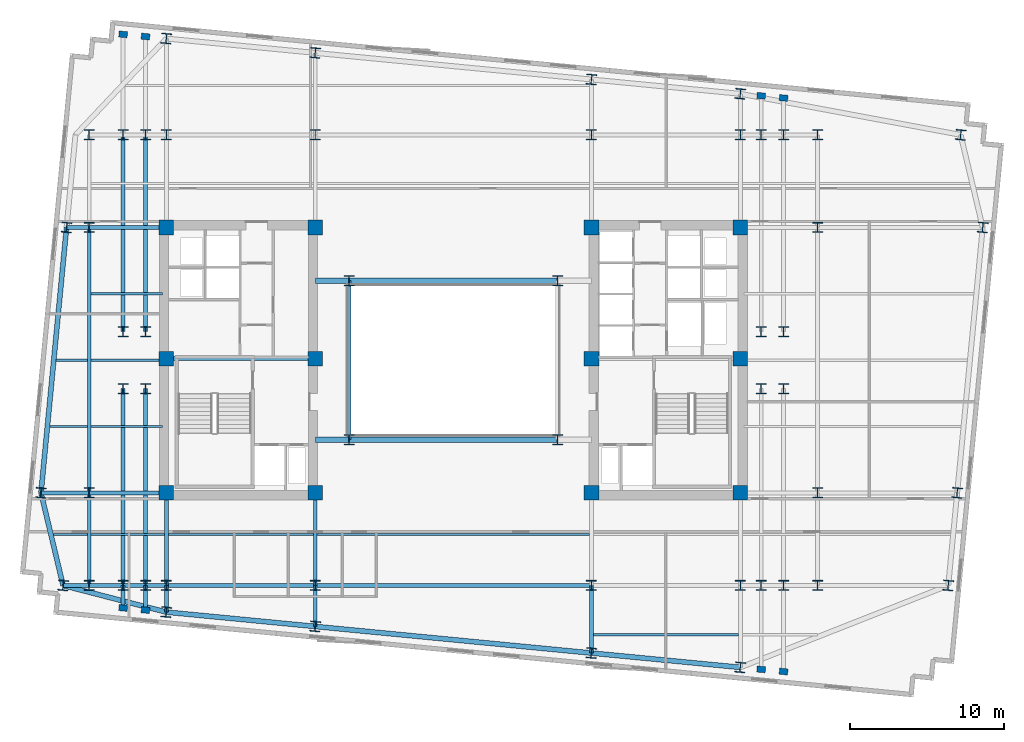
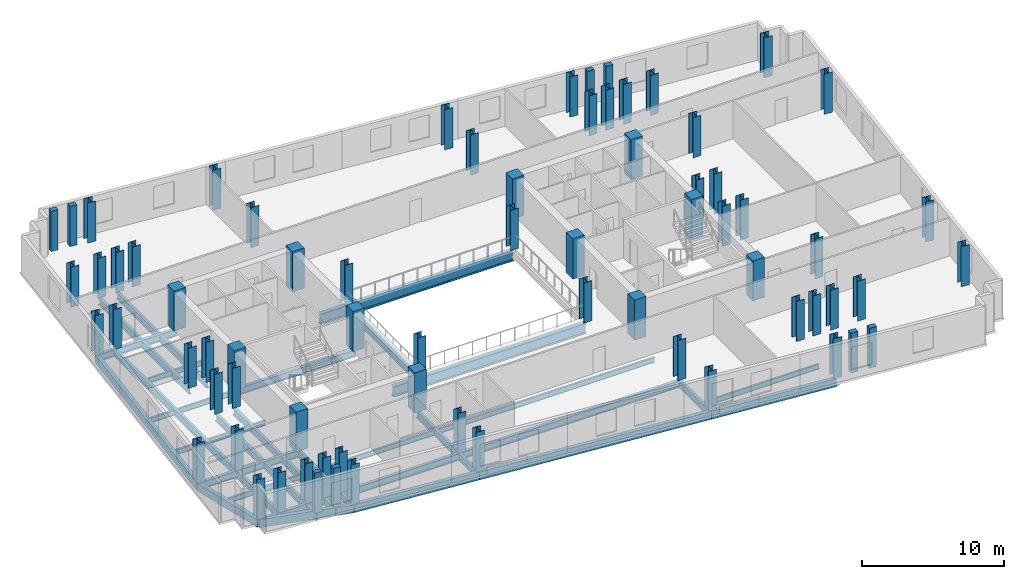
# One storey, part 1 of 9: 71 columns, 43 beams.
"""IFC4 building model written with IfcOpenShell, lengths in metres."""

from ifc_helpers import new_model, si_unit, direction, frame, origin, origin_2d, place, context, subcontext, project, spatial, rectangle, i_section, extrude, material, material_profile, profile_set, type_object, element, save


model = new_model("IFC4")

# Units and contexts
model_context = context("Model", 3, precision=1e-05, world=origin(), true_north=direction((0.0, 1.0)))
body_context = subcontext(model_context, "Body", "Model", "MODEL_VIEW")
ifc_project = project(units=[si_unit("LENGTHUNIT", "METRE"), si_unit("AREAUNIT", "SQUARE_METRE"), si_unit("VOLUMEUNIT", "CUBIC_METRE"), si_unit("PLANEANGLEUNIT", "RADIAN"), si_unit("MASSUNIT", "GRAM", prefix="KILO")], contexts=[model_context])

# Site, building, storey
site_placement = place(None, origin())
site = spatial("IfcSite", under=ifc_project, at=site_placement, CompositionType="ELEMENT")
building_placement = place(site_placement, origin())
building = spatial("IfcBuilding", under=site, at=building_placement, Name="Velakula Bourse", CompositionType="ELEMENT")
storey_placement = place(building_placement, frame((0.0, 0.0, 167.300048828125)))
storey = spatial("IfcBuildingStorey", under=building, at=storey_placement, Name="L45", CompositionType="ELEMENT", Elevation=167.300048828125)

# Columns
ifc_material_1 = material(Name="Concrete M70 (fck 70 MPa)", Category="concrete")
ifc_material_profile_1 = material_profile(ifc_material_1, rectangle(XDim=0.949951171875, YDim=0.949951171875, at=origin_2d()), Name="Concrete M70 (fck 70 MPa)")
ifc_profile_set_1 = profile_set([ifc_material_profile_1], Name="Concrete M70 (fck 70 MPa)")
column_type_1 = type_object("IfcColumnType", Name="COL-RC-950", PredefinedType="COLUMN", material=ifc_profile_set_1)
for number, where, z_axis, x_axis, name in (
    (1, (-8.949951171875, -8.60009765625, 0.0), (0.0, 0.0, 1.0), (1.0, 0.0, 0.0), "L45 Core Boundary Column 01"),
    (2, (-8.949951171875, 0.10009765625, 0.0), (0.0, 0.0, 1.0), (1.0, 0.0, 0.0), "L45 Core Boundary Column 02"),
    (3, (-8.949951171875, 8.60009765625, 0.0), (0.0, 0.0, 1.0), (1.0, 0.0, 0.0), "L45 Core Boundary Column 03"),
    (4, (-18.60009765625, -8.60009765625, 0.0), (0.0, 0.0, 1.0), (1.0, 0.0, 0.0), "L45 Core Boundary Column 04"),
    (5, (-18.60009765625, 0.10009765625, 0.0), (0.0, 0.0, 1.0), (1.0, 0.0, 0.0), "L45 Core Boundary Column 05"),
    (6, (-18.60009765625, 8.60009765625, 0.0), (0.0, 0.0, 1.0), (1.0, 0.0, 0.0), "L45 Core Boundary Column 06"),
    (7, (8.949951171875, -8.60009765625, 0.0), (0.0, 0.0, 1.0), (1.0, 0.0, 0.0), "L45 Core Boundary Column 07"),
    (8, (8.949951171875, 0.10009765625, 0.0), (0.0, 0.0, 1.0), (1.0, 0.0, 0.0), "L45 Core Boundary Column 08"),
    (9, (8.949951171875, 8.60009765625, 0.0), (0.0, 0.0, 1.0), (1.0, 0.0, 0.0), "L45 Core Boundary Column 09"),
    (10, (18.60009765625, -8.60009765625, 0.0), (0.0, 0.0, 1.0), (1.0, 0.0, 0.0), "L45 Core Boundary Column 10"),
    (11, (18.60009765625, 0.10009765625, 0.0), (0.0, 0.0, 1.0), (1.0, 0.0, 0.0), "L45 Core Boundary Column 11"),
    (12, (18.60009765625, 8.60009765625, 0.0), (0.0, 0.0, 1.0), (1.0, 0.0, 0.0), "L45 Core Boundary Column 12"),
):
    element("IfcColumn", number, at=place(storey_placement, frame(where, z_axis=z_axis, x_axis=x_axis)), inside=storey, type_object=column_type_1, Name=name, PredefinedType="COLUMN", context=body_context, shape_type="SweptSolid", body=[
        extrude(rectangle(XDim=0.949951171875, YDim=0.949951171875, at=origin_2d()), origin(), (0.0, 0.0, 1.0), 3.449951171875),
    ])
ifc_material_2 = material(Name="Steel IS 2062 Grade 350 (E350)", Category="steel")
ifc_material_profile_2 = material_profile(ifc_material_2, i_section(OverallWidth=0.64990234375, OverallDepth=0.64990234375, WebThickness=0.028076171875, FlangeThickness=0.0400390625, at=origin_2d()), Name="Steel IS 2062 Grade 350 (E350)")
ifc_profile_set_2 = profile_set([ifc_material_profile_2], Name="Steel IS 2062 Grade 350 (E350)")
column_type_2 = type_object("IfcColumnType", Name="COL-STL-650", PredefinedType="COLUMN", material=ifc_profile_set_2)
for number, where, z_axis, x_axis, name in (
    (13, (-6.75, -5.14990234375, 0.0), (0.0, 0.0, 1.0), (1.0, 0.0, 0.0), "L45 Central Spine Column 01"),
    (14, (-6.75, 5.14990234375, 0.0), (0.0, 0.0, 1.0), (1.0, 0.0, 0.0), "L45 Central Spine Column 02"),
    (15, (6.75, -5.14990234375, 0.0), (0.0, 0.0, 1.0), (1.0, 0.0, 0.0), "L45 Central Spine Column 03"),
    (16, (6.75, 5.14990234375, 0.0), (0.0, 0.0, 1.0), (1.0, 0.0, 0.0), "L45 Central Spine Column 04"),
    (17, (-21.39990234375, -14.60009765625, 0.0), (0.0, 0.0, 1.0), (1.0, 0.0, 0.0), "L45 Tower Fulcrum Column 01"),
    (18, (-21.39990234375, 14.60009765625, 0.0), (0.0, 0.0, 1.0), (1.0, 0.0, 0.0), "L45 Tower Fulcrum Column 02"),
    (19, (-19.949951171875, -14.60009765625, 0.0), (0.0, 0.0, 1.0), (1.0, 0.0, 0.0), "L45 Tower Fulcrum Column 03"),
    (20, (-19.949951171875, 14.60009765625, 0.0), (0.0, 0.0, 1.0), (1.0, 0.0, 0.0), "L45 Tower Fulcrum Column 04"),
    (21, (-18.60009765625, -14.60009765625, 0.0), (0.0, 0.0, 1.0), (1.0, 0.0, 0.0), "L45 Tower Fulcrum Column 05"),
    (22, (-18.60009765625, 14.60009765625, 0.0), (0.0, 0.0, 1.0), (1.0, 0.0, 0.0), "L45 Tower Fulcrum Column 06"),
    (23, (-8.949951171875, -14.60009765625, 0.0), (0.0, 0.0, 1.0), (1.0, 0.0, 0.0), "L45 Tower Fulcrum Column 07"),
    (24, (-8.949951171875, 14.60009765625, 0.0), (0.0, 0.0, 1.0), (1.0, 0.0, 0.0), "L45 Tower Fulcrum Column 08"),
    (25, (8.949951171875, -14.60009765625, 0.0), (0.0, 0.0, 1.0), (1.0, 0.0, 0.0), "L45 Tower Fulcrum Column 09"),
    (26, (8.949951171875, 14.60009765625, 0.0), (0.0, 0.0, 1.0), (1.0, 0.0, 0.0), "L45 Tower Fulcrum Column 10"),
    (27, (18.60009765625, -14.60009765625, 0.0), (0.0, 0.0, 1.0), (1.0, 0.0, 0.0), "L45 Tower Fulcrum Column 11"),
    (28, (18.60009765625, 14.60009765625, 0.0), (0.0, 0.0, 1.0), (1.0, 0.0, 0.0), "L45 Tower Fulcrum Column 12"),
    (29, (19.949951171875, -14.60009765625, 0.0), (0.0, 0.0, 1.0), (1.0, 0.0, 0.0), "L45 Tower Fulcrum Column 13"),
    (30, (19.949951171875, 14.60009765625, 0.0), (0.0, 0.0, 1.0), (1.0, 0.0, 0.0), "L45 Tower Fulcrum Column 14"),
    (31, (21.39990234375, -14.60009765625, 0.0), (0.0, 0.0, 1.0), (1.0, 0.0, 0.0), "L45 Tower Fulcrum Column 15"),
    (32, (21.39990234375, 14.60009765625, 0.0), (0.0, 0.0, 1.0), (1.0, 0.0, 0.0), "L45 Tower Fulcrum Column 16"),
    (33, (-21.39990234375, -1.85009765625, 0.0), (0.0, 0.0, 1.0), (1.0, 0.0, 0.0), "L45 Tower Fulcrum Column 17"),
    (34, (-21.39990234375, 1.85009765625, 0.0), (0.0, 0.0, 1.0), (1.0, 0.0, 0.0), "L45 Tower Fulcrum Column 18"),
    (35, (-19.949951171875, -1.85009765625, 0.0), (0.0, 0.0, 1.0), (1.0, 0.0, 0.0), "L45 Tower Fulcrum Column 19"),
    (36, (-19.949951171875, 1.85009765625, 0.0), (0.0, 0.0, 1.0), (1.0, 0.0, 0.0), "L45 Tower Fulcrum Column 20"),
    (37, (19.949951171875, -1.85009765625, 0.0), (0.0, 0.0, 1.0), (1.0, 0.0, 0.0), "L45 Tower Fulcrum Column 21"),
    (38, (19.949951171875, 1.85009765625, 0.0), (0.0, 0.0, 1.0), (1.0, 0.0, 0.0), "L45 Tower Fulcrum Column 22"),
    (39, (21.39990234375, -1.85009765625, 0.0), (0.0, 0.0, 1.0), (1.0, 0.0, 0.0), "L45 Tower Fulcrum Column 23"),
    (40, (21.39990234375, 1.85009765625, 0.0), (0.0, 0.0, 1.0), (1.0, 0.0, 0.0), "L45 Tower Fulcrum Column 24"),
    (41, (-23.60009765625, -14.60009765625, 0.0), (0.0, 0.0, 1.0), (1.0, 0.0, 0.0), "L45 Mid-Wing Plumb Column 01"),
    (42, (-23.60009765625, -8.60009765625, 0.0), (0.0, 0.0, 1.0), (1.0, 0.0, 0.0), "L45 Mid-Wing Plumb Column 02"),
    (43, (-23.60009765625, 8.60009765625, 0.0), (0.0, 0.0, 1.0), (1.0, 0.0, 0.0), "L45 Mid-Wing Plumb Column 03"),
    (44, (-23.60009765625, 14.60009765625, 0.0), (0.0, 0.0, 1.0), (1.0, 0.0, 0.0), "L45 Mid-Wing Plumb Column 04"),
    (45, (23.60009765625, -14.60009765625, 0.0), (0.0, 0.0, 1.0), (1.0, 0.0, 0.0), "L45 Mid-Wing Plumb Column 05"),
    (46, (23.60009765625, -8.60009765625, 0.0), (0.0, 0.0, 1.0), (1.0, 0.0, 0.0), "L45 Mid-Wing Plumb Column 06"),
    (47, (23.60009765625, 8.60009765625, 0.0), (0.0, 0.0, 1.0), (1.0, 0.0, 0.0), "L45 Mid-Wing Plumb Column 07"),
    (48, (23.60009765625, 14.60009765625, 0.0), (0.0, 0.0, 1.0), (1.0, 0.0, 0.0), "L45 Mid-Wing Plumb Column 08"),
    (49, (-18.60009765625, -16.32861328125, 0.0), (0.0, 0.0, 1.0), (0.995396198367, -0.09584575252, 0.0), "L45 Block B4 Perimeter Column S1"),
    (50, (-8.949951171875, -17.2578125, 0.0), (0.0, 0.0, 1.0), (0.995396198367, -0.09584575252, 0.0), "L45 Block B4 Perimeter Column S2"),
    (51, (8.949951171875, -18.9814453125, 0.0), (0.0, 0.0, 1.0), (0.995396198367, -0.09584575252, 0.0), "L45 Block B4 Perimeter Column S3"),
    (52, (18.60009765625, -19.91064453125, 0.0), (0.0, 0.0, 1.0), (0.995396198367, -0.09584575252, 0.0), "L45 Block B4 Perimeter Column S4"),
    (53, (-18.60009765625, 20.84228515625, 0.0), (0.0, 0.0, 1.0), (0.995396198367, -0.09584575252, 0.0), "L45 Block B4 Perimeter Column N1"),
    (54, (-8.949951171875, 19.9130859375, 0.0), (0.0, 0.0, 1.0), (0.995396198367, -0.09584575252, 0.0), "L45 Block B4 Perimeter Column N2"),
    (55, (8.949951171875, 18.189697265625, 0.0), (0.0, 0.0, 1.0), (0.995396198367, -0.09584575252, 0.0), "L45 Block B4 Perimeter Column N3"),
    (56, (18.60009765625, 17.260498046875, 0.0), (0.0, 0.0, 1.0), (0.995396198367, -0.09584575252, 0.0), "L45 Block B4 Perimeter Column N4"),
    (57, (-25.29296875, -14.60009765625, 0.0), (0.0, 0.0, 1.0), (0.995396198367, -0.09584575252, 0.0), "L45 Block B4 Perimeter Column W1"),
    (58, (-26.724365234375, -8.60009765625, 0.0), (0.0, 0.0, 1.0), (0.995396198367, -0.09584575252, 0.0), "L45 Block B4 Perimeter Column W2"),
    (59, (-25.068115234375, 8.60009765625, 0.0), (0.0, 0.0, 1.0), (0.995396198367, -0.09584575252, 0.0), "L45 Block B4 Perimeter Column W3"),
    (60, (32.0712890625, -14.60009765625, 0.0), (0.0, 0.0, 1.0), (0.995396198367, -0.09584575252, 0.0), "L45 Block B4 Perimeter Column E1"),
    (61, (32.64892578125, -8.60009765625, 0.0), (0.0, 0.0, 1.0), (0.995396198367, -0.09584575252, 0.0), "L45 Block B4 Perimeter Column E2"),
    (62, (34.30517578125, 8.60009765625, 0.0), (0.0, 0.0, 1.0), (0.995396198367, -0.09584575252, 0.0), "L45 Block B4 Perimeter Column E3"),
    (63, (32.87353515625, 14.60009765625, 0.0), (0.0, 0.0, 1.0), (0.995396198367, -0.09584575252, 0.0), "L45 Block B4 Perimeter Column E4"),
):
    element("IfcColumn", number, at=place(storey_placement, frame(where, z_axis=z_axis, x_axis=x_axis)), inside=storey, type_object=column_type_2, Name=name, PredefinedType="COLUMN", context=body_context, shape_type="SweptSolid", body=[
        extrude(i_section(OverallWidth=0.64990234375, OverallDepth=0.64990234375, WebThickness=0.028076171875, FlangeThickness=0.0400390625, at=origin_2d()), origin(), (0.0, 0.0, 1.0), 3.449951171875),
    ])
ifc_material_3 = material(Name="Precast concrete M45 (fck 45 MPa)", Category="concrete")
ifc_material_profile_3 = material_profile(ifc_material_3, rectangle(XDim=0.550048828125, YDim=0.39990234375, at=origin_2d()), Name="Precast concrete M45 (fck 45 MPa)")
ifc_profile_set_3 = profile_set([ifc_material_profile_3], Name="Precast concrete M45 (fck 45 MPa)")
column_type_3 = type_object("IfcColumnType", Name="PIL-BRICK-550", PredefinedType="PILASTER", material=ifc_profile_set_3)
for number, where, z_axis, x_axis, name in (
    (64, (-21.39990234375, -16.05908203125, 0.0), (0.0, 0.0, 1.0), (0.995396198367, -0.09584575252, 0.0), "L45 Brick Pier Pilaster 01"),
    (65, (-19.949951171875, -16.19873046875, 0.0), (0.0, 0.0, 1.0), (0.995396198367, -0.09584575252, 0.0), "L45 Brick Pier Pilaster 02"),
    (66, (19.949951171875, -20.04052734375, 0.0), (0.0, 0.0, 1.0), (0.995396198367, -0.09584575252, 0.0), "L45 Brick Pier Pilaster 03"),
    (67, (21.39990234375, -20.180419921875, 0.0), (0.0, 0.0, 1.0), (0.995396198367, -0.09584575252, 0.0), "L45 Brick Pier Pilaster 04"),
    (68, (-21.39990234375, 21.112060546875, 0.0), (0.0, 0.0, 1.0), (0.995396198367, -0.09584575252, 0.0), "L45 Brick Pier Pilaster 05"),
    (69, (-19.949951171875, 20.972412109375, 0.0), (0.0, 0.0, 1.0), (0.995396198367, -0.09584575252, 0.0), "L45 Brick Pier Pilaster 06"),
    (70, (19.949951171875, 17.130615234375, 0.0), (0.0, 0.0, 1.0), (0.995396198367, -0.09584575252, 0.0), "L45 Brick Pier Pilaster 07"),
    (71, (21.39990234375, 16.990966796875, 0.0), (0.0, 0.0, 1.0), (0.995396198367, -0.09584575252, 0.0), "L45 Brick Pier Pilaster 08"),
):
    element("IfcColumn", number, at=place(storey_placement, frame(where, z_axis=z_axis, x_axis=x_axis)), inside=storey, type_object=column_type_3, Name=name, PredefinedType="PILASTER", context=body_context, shape_type="SweptSolid", body=[
        extrude(rectangle(XDim=0.550048828125, YDim=0.39990234375, at=origin_2d()), origin(), (0.0, 0.0, 1.0), 3.449951171875),
    ])

# Beams
ifc_material_profile_4 = material_profile(ifc_material_2, i_section(OverallWidth=0.25, OverallDepth=0.60009765625, WebThickness=0.01123046875, FlangeThickness=0.021240234375, at=origin_2d()), Name="Steel IS 2062 Grade 350 (E350)")
ifc_profile_set_4 = profile_set([ifc_material_profile_4], Name="Steel IS 2062 Grade 350 (E350)")
beam_type_1 = type_object("IfcBeamType", Name="BM-GRD-600M", PredefinedType="BEAM", material=ifc_profile_set_4)
beam_1_placement = place(storey_placement, frame((-18.60009765625, 0.10009765625, -0.47998046875), z_axis=(1.0, 0.0, 0.0), x_axis=(0.0, 1.0, 0.0)))
element("IfcBeam", 72, at=beam_1_placement, inside=storey, type_object=beam_type_1, Name="L45 Primary Backbone Girder CRW-M", PredefinedType="BEAM", context=body_context, shape_type="SweptSolid", body=[
    extrude(i_section(OverallWidth=0.25, OverallDepth=0.60009765625, WebThickness=0.01123046875, FlangeThickness=0.021240234375, at=origin_2d()), origin(), (0.0, 0.0, 1.0), 9.650146484375),
])
beam_2_placement = place(storey_placement, frame((-6.75, -5.14990234375, -0.47998046875), z_axis=(0.0, 1.0, 0.0), x_axis=(-1.0, 0.0, 0.0)))
element("IfcBeam", 73, at=beam_2_placement, inside=storey, type_object=beam_type_1, Name="L45 Primary Backbone Girder SPN-W", PredefinedType="BEAM", context=body_context, shape_type="SweptSolid", body=[
    extrude(i_section(OverallWidth=0.25, OverallDepth=0.60009765625, WebThickness=0.01123046875, FlangeThickness=0.021240234375, at=origin_2d()), origin(), (0.0, 0.0, 1.0), 10.2998046875),
])
for number, where, z_axis, x_axis, name in (
    (74, (-18.60009765625, -14.60009765625, -0.47998046875), (0.0, 1.0, 0.0), (-1.0, 0.0, 0.0), "L45 Fulcrum Grid Girder FLC-WS"),
    (75, (-8.949951171875, -14.60009765625, -0.47998046875), (0.0, 1.0, 0.0), (-1.0, 0.0, 0.0), "L45 Fulcrum Grid Girder FLC-WCS"),
):
    element("IfcBeam", number, at=place(storey_placement, frame(where, z_axis=z_axis, x_axis=x_axis)), inside=storey, type_object=beam_type_1, Name=name, PredefinedType="BEAM", context=body_context, shape_type="SweptSolid", body=[
        extrude(i_section(OverallWidth=0.25, OverallDepth=0.60009765625, WebThickness=0.01123046875, FlangeThickness=0.021240234375, at=origin_2d()), origin(), (0.0, 0.0, 1.0), 6.0),
    ])
beam_3_placement = place(storey_placement, frame((-18.60009765625, -14.60009765625, -0.47998046875), z_axis=(1.0, 0.0, 0.0), x_axis=(0.0, 1.0, 0.0)))
element("IfcBeam", 76, at=beam_3_placement, inside=storey, type_object=beam_type_1, Name="L45 Fulcrum Grid Girder FLC-S1", PredefinedType="BEAM", context=body_context, shape_type="SweptSolid", body=[
    extrude(i_section(OverallWidth=0.25, OverallDepth=0.60009765625, WebThickness=0.01123046875, FlangeThickness=0.021240234375, at=origin_2d()), origin(), (0.0, 0.0, 1.0), 9.650146484375),
])
beam_4_placement = place(storey_placement, frame((-8.949951171875, -14.60009765625, -0.47998046875), z_axis=(1.0, 0.0, 0.0), x_axis=(0.0, 1.0, 0.0)))
element("IfcBeam", 77, at=beam_4_placement, inside=storey, type_object=beam_type_1, Name="L45 Fulcrum Grid Girder FLC-S2", PredefinedType="BEAM", context=body_context, shape_type="SweptSolid", body=[
    extrude(i_section(OverallWidth=0.25, OverallDepth=0.60009765625, WebThickness=0.01123046875, FlangeThickness=0.021240234375, at=origin_2d()), origin(), (0.0, 0.0, 1.0), 17.89990234375),
])
for number, where, z_axis, x_axis, name in (
    (78, (-21.39990234375, -14.60009765625, -0.47998046875), (0.0, 1.0, 0.0), (-1.0, 0.0, 0.0), "L45 Fulcrum Grid Girder FLC-PSW1"),
    (79, (-21.39990234375, 1.85009765625, -0.47998046875), (0.0, 1.0, 0.0), (-1.0, 0.0, 0.0), "L45 Fulcrum Grid Girder FLC-PNW1"),
    (80, (-19.949951171875, -14.60009765625, -0.47998046875), (0.0, 1.0, 0.0), (-1.0, 0.0, 0.0), "L45 Fulcrum Grid Girder FLC-PSW2"),
    (81, (-19.949951171875, 1.85009765625, -0.47998046875), (0.0, 1.0, 0.0), (-1.0, 0.0, 0.0), "L45 Fulcrum Grid Girder FLC-PNW2"),
):
    element("IfcBeam", number, at=place(storey_placement, frame(where, z_axis=z_axis, x_axis=x_axis)), inside=storey, type_object=beam_type_1, Name=name, PredefinedType="BEAM", context=body_context, shape_type="SweptSolid", body=[
        extrude(i_section(OverallWidth=0.25, OverallDepth=0.60009765625, WebThickness=0.01123046875, FlangeThickness=0.021240234375, at=origin_2d()), origin(), (0.0, 0.0, 1.0), 12.75),
    ])
for number, where, z_axis, x_axis, name in (
    (82, (-23.60009765625, -14.60009765625, -0.47998046875), (1.0, 0.0, 0.0), (0.0, 1.0, 0.0), "L45 Fulcrum Grid Girder MWG-WS1"),
    (83, (-23.60009765625, -8.60009765625, -0.47998046875), (1.0, 0.0, 0.0), (0.0, 1.0, 0.0), "L45 Fulcrum Grid Girder MWG-WS2"),
    (84, (-23.60009765625, 8.60009765625, -0.47998046875), (1.0, 0.0, 0.0), (0.0, 1.0, 0.0), "L45 Fulcrum Grid Girder MWG-WN1"),
):
    element("IfcBeam", number, at=place(storey_placement, frame(where, z_axis=z_axis, x_axis=x_axis)), inside=storey, type_object=beam_type_1, Name=name, PredefinedType="BEAM", context=body_context, shape_type="SweptSolid", body=[
        extrude(i_section(OverallWidth=0.25, OverallDepth=0.60009765625, WebThickness=0.01123046875, FlangeThickness=0.021240234375, at=origin_2d()), origin(), (0.0, 0.0, 1.0), 5.0),
    ])
beam_5_placement = place(storey_placement, frame((-23.60009765625, -14.60009765625, -0.47998046875), z_axis=(0.0, 1.0, 0.0), x_axis=(-1.0, 0.0, 0.0)))
element("IfcBeam", 85, at=beam_5_placement, inside=storey, type_object=beam_type_1, Name="L45 Fulcrum Grid Girder MWG-WNS1", PredefinedType="BEAM", context=body_context, shape_type="SweptSolid", body=[
    extrude(i_section(OverallWidth=0.25, OverallDepth=0.60009765625, WebThickness=0.01123046875, FlangeThickness=0.021240234375, at=origin_2d()), origin(), (0.0, 0.0, 1.0), 6.0),
])
beam_6_placement = place(storey_placement, frame((-23.60009765625, -8.60009765625, -0.47998046875), z_axis=(0.0, 1.0, 0.0), x_axis=(-1.0, 0.0, 0.0)))
element("IfcBeam", 86, at=beam_6_placement, inside=storey, type_object=beam_type_1, Name="L45 Fulcrum Grid Girder MWG-WNS2", PredefinedType="BEAM", context=body_context, shape_type="SweptSolid", body=[
    extrude(i_section(OverallWidth=0.25, OverallDepth=0.60009765625, WebThickness=0.01123046875, FlangeThickness=0.021240234375, at=origin_2d()), origin(), (0.0, 0.0, 1.0), 17.2001953125),
])
beam_7_placement = place(storey_placement, frame((-18.60009765625, -14.60009765625, -0.47998046875), z_axis=(0.0, -1.0, 0.0), x_axis=(1.0, 0.0, 0.0)))
element("IfcBeam", 87, at=beam_7_placement, inside=storey, type_object=beam_type_1, Name="L45 Perimeter Tie Girder S1", PredefinedType="BEAM", context=body_context, shape_type="SweptSolid", body=[
    extrude(i_section(OverallWidth=0.25, OverallDepth=0.60009765625, WebThickness=0.01123046875, FlangeThickness=0.021240234375, at=origin_2d()), origin(), (0.0, 0.0, 1.0), 1.728515625),
])
beam_8_placement = place(storey_placement, frame((-8.949951171875, -14.60009765625, -0.47998046875), z_axis=(0.0, -1.0, 0.0), x_axis=(1.0, 0.0, 0.0)))
element("IfcBeam", 88, at=beam_8_placement, inside=storey, type_object=beam_type_1, Name="L45 Perimeter Tie Girder S2", PredefinedType="BEAM", context=body_context, shape_type="SweptSolid", body=[
    extrude(i_section(OverallWidth=0.25, OverallDepth=0.60009765625, WebThickness=0.01123046875, FlangeThickness=0.021240234375, at=origin_2d()), origin(), (0.0, 0.0, 1.0), 2.65771484375),
])
beam_9_placement = place(storey_placement, frame((8.949951171875, -14.60009765625, -0.47998046875), z_axis=(0.0, -1.0, 0.0), x_axis=(1.0, 0.0, 0.0)))
element("IfcBeam", 89, at=beam_9_placement, inside=storey, type_object=beam_type_1, Name="L45 Perimeter Tie Girder S3", PredefinedType="BEAM", context=body_context, shape_type="SweptSolid", body=[
    extrude(i_section(OverallWidth=0.25, OverallDepth=0.60009765625, WebThickness=0.01123046875, FlangeThickness=0.021240234375, at=origin_2d()), origin(), (0.0, 0.0, 1.0), 4.38134765625),
])
beam_10_placement = place(storey_placement, frame((-23.60009765625, -14.60009765625, -0.47998046875), z_axis=(-1.0, 0.0, 0.0), x_axis=(0.0, -1.0, 0.0)))
element("IfcBeam", 90, at=beam_10_placement, inside=storey, type_object=beam_type_1, Name="L45 Perimeter Tie Girder W1", PredefinedType="BEAM", context=body_context, shape_type="SweptSolid", body=[
    extrude(i_section(OverallWidth=0.25, OverallDepth=0.60009765625, WebThickness=0.01123046875, FlangeThickness=0.021240234375, at=origin_2d()), origin(), (0.0, 0.0, 1.0), 1.69287109375),
])
beam_11_placement = place(storey_placement, frame((-23.60009765625, -8.60009765625, -0.47998046875), z_axis=(-1.0, 0.0, 0.0), x_axis=(0.0, -1.0, 0.0)))
element("IfcBeam", 91, at=beam_11_placement, inside=storey, type_object=beam_type_1, Name="L45 Perimeter Tie Girder W2", PredefinedType="BEAM", context=body_context, shape_type="SweptSolid", body=[
    extrude(i_section(OverallWidth=0.25, OverallDepth=0.60009765625, WebThickness=0.01123046875, FlangeThickness=0.021240234375, at=origin_2d()), origin(), (0.0, 0.0, 1.0), 3.124267578125),
])
beam_12_placement = place(storey_placement, frame((-23.60009765625, 8.60009765625, -0.47998046875), z_axis=(-1.0, 0.0, 0.0), x_axis=(0.0, -1.0, 0.0)))
element("IfcBeam", 92, at=beam_12_placement, inside=storey, type_object=beam_type_1, Name="L45 Perimeter Tie Girder W3", PredefinedType="BEAM", context=body_context, shape_type="SweptSolid", body=[
    extrude(i_section(OverallWidth=0.25, OverallDepth=0.60009765625, WebThickness=0.01123046875, FlangeThickness=0.021240234375, at=origin_2d()), origin(), (0.0, 0.0, 1.0), 1.468017578125),
])
beam_13_placement = place(storey_placement, frame((-21.39990234375, -14.60009765625, -0.47998046875), z_axis=(0.0, -1.0, 0.0), x_axis=(1.0, 0.0, 0.0)))
element("IfcBeam", 93, at=beam_13_placement, inside=storey, type_object=beam_type_1, Name="L45 Perimeter Tie Girder P01", PredefinedType="BEAM", context=body_context, shape_type="SweptSolid", body=[
    extrude(i_section(OverallWidth=0.25, OverallDepth=0.60009765625, WebThickness=0.01123046875, FlangeThickness=0.021240234375, at=origin_2d()), origin(), (0.0, 0.0, 1.0), 1.458984375),
])
beam_14_placement = place(storey_placement, frame((-19.949951171875, -14.60009765625, -0.47998046875), z_axis=(0.0, -1.0, 0.0), x_axis=(1.0, 0.0, 0.0)))
element("IfcBeam", 94, at=beam_14_placement, inside=storey, type_object=beam_type_1, Name="L45 Perimeter Tie Girder P02", PredefinedType="BEAM", context=body_context, shape_type="SweptSolid", body=[
    extrude(i_section(OverallWidth=0.25, OverallDepth=0.60009765625, WebThickness=0.01123046875, FlangeThickness=0.021240234375, at=origin_2d()), origin(), (0.0, 0.0, 1.0), 1.5986328125),
])
ifc_material_profile_5 = material_profile(ifc_material_2, i_section(OverallWidth=0.35009765625, OverallDepth=0.89990234375, WebThickness=0.02001953125, FlangeThickness=0.031982421875, at=origin_2d()), Name="Steel IS 2062 Grade 350 (E350)")
ifc_profile_set_5 = profile_set([ifc_material_profile_5], Name="Steel IS 2062 Grade 350 (E350)")
beam_type_2 = type_object("IfcBeamType", Name="BM-LNK-900", PredefinedType="BEAM", material=ifc_profile_set_5)
beam_15_placement = place(storey_placement, frame((-8.949951171875, -5.14990234375, -0.630126953125), z_axis=(1.0, 0.0, 0.0), x_axis=(0.0, 1.0, 0.0)))
element("IfcBeam", 95, at=beam_15_placement, inside=storey, type_object=beam_type_2, Name="L45 Primary Backbone Girder LNK-S1", PredefinedType="BEAM", context=body_context, shape_type="SweptSolid", body=[
    extrude(i_section(OverallWidth=0.35009765625, OverallDepth=0.89990234375, WebThickness=0.02001953125, FlangeThickness=0.031982421875, at=origin_2d()), origin(), (0.0, 0.0, 1.0), 2.199951171875),
])
beam_16_placement = place(storey_placement, frame((-6.75, -5.14990234375, -0.630126953125), z_axis=(1.0, 0.0, 0.0), x_axis=(0.0, 1.0, 0.0)))
element("IfcBeam", 96, at=beam_16_placement, inside=storey, type_object=beam_type_2, Name="L45 Primary Backbone Girder LNK-S2", PredefinedType="BEAM", context=body_context, shape_type="SweptSolid", body=[
    extrude(i_section(OverallWidth=0.35009765625, OverallDepth=0.89990234375, WebThickness=0.02001953125, FlangeThickness=0.031982421875, at=origin_2d()), origin(), (0.0, 0.0, 1.0), 13.5),
])
beam_17_placement = place(storey_placement, frame((-8.949951171875, 5.14990234375, -0.630126953125), z_axis=(1.0, 0.0, 0.0), x_axis=(0.0, 1.0, 0.0)))
element("IfcBeam", 97, at=beam_17_placement, inside=storey, type_object=beam_type_2, Name="L45 Primary Backbone Girder LNK-N1", PredefinedType="BEAM", context=body_context, shape_type="SweptSolid", body=[
    extrude(i_section(OverallWidth=0.35009765625, OverallDepth=0.89990234375, WebThickness=0.02001953125, FlangeThickness=0.031982421875, at=origin_2d()), origin(), (0.0, 0.0, 1.0), 2.199951171875),
])
beam_18_placement = place(storey_placement, frame((-6.75, 5.14990234375, -0.630126953125), z_axis=(1.0, 0.0, 0.0), x_axis=(0.0, 1.0, 0.0)))
element("IfcBeam", 98, at=beam_18_placement, inside=storey, type_object=beam_type_2, Name="L45 Primary Backbone Girder LNK-N2", PredefinedType="BEAM", context=body_context, shape_type="SweptSolid", body=[
    extrude(i_section(OverallWidth=0.35009765625, OverallDepth=0.89990234375, WebThickness=0.02001953125, FlangeThickness=0.031982421875, at=origin_2d()), origin(), (0.0, 0.0, 1.0), 13.5),
])
ifc_material_profile_6 = material_profile(ifc_material_2, i_section(OverallWidth=0.14990234375, OverallDepth=0.449951171875, WebThickness=0.009521484375, FlangeThickness=0.017333984375, at=origin_2d()), Name="Steel IS 2062 Grade 350 (E350)")
ifc_profile_set_6 = profile_set([ifc_material_profile_6], Name="Steel IS 2062 Grade 350 (E350)")
beam_type_3 = type_object("IfcBeamType", Name="JST-TWR-450", PredefinedType="JOIST", material=ifc_profile_set_6)
beam_19_placement = place(storey_placement, frame((9.074951171875, -17.800048828125, -0.405029296875), z_axis=(1.0, 0.0, 0.0), x_axis=(0.0, 1.0, 0.0)))
element("IfcBeam", 99, at=beam_19_placement, inside=storey, type_object=beam_type_3, Name="L45 Trading Floor Composite Joist 02", PredefinedType="JOIST", context=body_context, shape_type="SweptSolid", body=[
    extrude(i_section(OverallWidth=0.14990234375, OverallDepth=0.449951171875, WebThickness=0.009521484375, FlangeThickness=0.017333984375, at=origin_2d()), origin(), (0.0, 0.0, 1.0), 9.400146484375),
])
beam_20_placement = place(storey_placement, frame((-25.915771484375, -11.300048828125, -0.405029296875), z_axis=(1.0, 0.0, 0.0), x_axis=(0.0, 1.0, 0.0)))
element("IfcBeam", 100, at=beam_20_placement, inside=storey, type_object=beam_type_3, Name="L45 Trading Floor Composite Joist 04", PredefinedType="JOIST", context=body_context, shape_type="SweptSolid", body=[
    extrude(i_section(OverallWidth=0.14990234375, OverallDepth=0.449951171875, WebThickness=0.009521484375, FlangeThickness=0.017333984375, at=origin_2d()), origin(), (0.0, 0.0, 1.0), 2.190673828125),
])
beam_21_placement = place(storey_placement, frame((-23.47509765625, -11.300048828125, -0.405029296875), z_axis=(1.0, 0.0, 0.0), x_axis=(0.0, 1.0, 0.0)))
element("IfcBeam", 101, at=beam_21_placement, inside=storey, type_object=beam_type_3, Name="L45 Trading Floor Composite Joist 05", PredefinedType="JOIST", context=body_context, shape_type="SweptSolid", body=[
    extrude(i_section(OverallWidth=0.14990234375, OverallDepth=0.449951171875, WebThickness=0.009521484375, FlangeThickness=0.017333984375, at=origin_2d()), origin(), (0.0, 0.0, 1.0), 4.75),
])
beam_22_placement = place(storey_placement, frame((-18.47509765625, -11.300048828125, -0.405029296875), z_axis=(1.0, 0.0, 0.0), x_axis=(0.0, 1.0, 0.0)))
element("IfcBeam", 102, at=beam_22_placement, inside=storey, type_object=beam_type_3, Name="L45 Trading Floor Composite Joist 06", PredefinedType="JOIST", context=body_context, shape_type="SweptSolid", body=[
    extrude(i_section(OverallWidth=0.14990234375, OverallDepth=0.449951171875, WebThickness=0.009521484375, FlangeThickness=0.017333984375, at=origin_2d()), origin(), (0.0, 0.0, 1.0), 9.400146484375),
])
beam_23_placement = place(storey_placement, frame((-8.824951171875, -11.300048828125, -0.405029296875), z_axis=(1.0, 0.0, 0.0), x_axis=(0.0, 1.0, 0.0)))
element("IfcBeam", 103, at=beam_23_placement, inside=storey, type_object=beam_type_3, Name="L45 Trading Floor Composite Joist 07", PredefinedType="JOIST", context=body_context, shape_type="SweptSolid", body=[
    extrude(i_section(OverallWidth=0.14990234375, OverallDepth=0.449951171875, WebThickness=0.009521484375, FlangeThickness=0.017333984375, at=origin_2d()), origin(), (0.0, 0.0, 1.0), 17.64990234375),
])
beam_24_placement = place(storey_placement, frame((-26.149658203125, -4.300048828125, -0.405029296875), z_axis=(1.0, 0.0, 0.0), x_axis=(0.0, 1.0, 0.0)))
element("IfcBeam", 104, at=beam_24_placement, inside=storey, type_object=beam_type_3, Name="L45 Trading Floor Composite Joist 21", PredefinedType="JOIST", context=body_context, shape_type="SweptSolid", body=[
    extrude(i_section(OverallWidth=0.14990234375, OverallDepth=0.449951171875, WebThickness=0.009521484375, FlangeThickness=0.017333984375, at=origin_2d()), origin(), (0.0, 0.0, 1.0), 2.424560546875),
])
beam_25_placement = place(storey_placement, frame((-23.47509765625, -4.300048828125, -0.405029296875), z_axis=(1.0, 0.0, 0.0), x_axis=(0.0, 1.0, 0.0)))
element("IfcBeam", 105, at=beam_25_placement, inside=storey, type_object=beam_type_3, Name="L45 Trading Floor Composite Joist 22", PredefinedType="JOIST", context=body_context, shape_type="SweptSolid", body=[
    extrude(i_section(OverallWidth=0.14990234375, OverallDepth=0.449951171875, WebThickness=0.009521484375, FlangeThickness=0.017333984375, at=origin_2d()), origin(), (0.0, 0.0, 1.0), 4.625),
])
beam_26_placement = place(storey_placement, frame((-25.735595703125, 0.0, -0.405029296875), z_axis=(1.0, 0.0, 0.0), x_axis=(0.0, 1.0, 0.0)))
element("IfcBeam", 106, at=beam_26_placement, inside=storey, type_object=beam_type_3, Name="L45 Trading Floor Composite Joist 25", PredefinedType="JOIST", context=body_context, shape_type="SweptSolid", body=[
    extrude(i_section(OverallWidth=0.14990234375, OverallDepth=0.449951171875, WebThickness=0.009521484375, FlangeThickness=0.017333984375, at=origin_2d()), origin(), (0.0, 0.0, 1.0), 2.010498046875),
])
for number, where, z_axis, x_axis, name in (
    (107, (-23.47509765625, 0.0, -0.405029296875), (1.0, 0.0, 0.0), (0.0, 1.0, 0.0), "L45 Trading Floor Composite Joist 26"),
    (108, (-23.47509765625, 4.300048828125, -0.405029296875), (1.0, 0.0, 0.0), (0.0, 1.0, 0.0), "L45 Trading Floor Composite Joist 29"),
):
    element("IfcBeam", number, at=place(storey_placement, frame(where, z_axis=z_axis, x_axis=x_axis)), inside=storey, type_object=beam_type_3, Name=name, PredefinedType="JOIST", context=body_context, shape_type="SweptSolid", body=[
        extrude(i_section(OverallWidth=0.14990234375, OverallDepth=0.449951171875, WebThickness=0.009521484375, FlangeThickness=0.017333984375, at=origin_2d()), origin(), (0.0, 0.0, 1.0), 4.625),
    ])
ifc_material_profile_7 = material_profile(ifc_material_3, rectangle(XDim=0.320068359375, YDim=0.679931640625, at=origin_2d()), Name="Precast concrete M45 (fck 45 MPa)")
ifc_profile_set_7 = profile_set([ifc_material_profile_7], Name="Precast concrete M45 (fck 45 MPa)")
beam_type_4 = type_object("IfcBeamType", Name="SPN-BRICK-680", PredefinedType="SPANDREL", material=ifc_profile_set_7)
beam_27_placement = place(storey_placement, frame((-18.60009765625, -16.32861328125, -0.52001953125), z_axis=(0.99539623971, -0.095845323155, 0.0), x_axis=(0.095845323155, 0.99539623971, 0.0)))
element("IfcBeam", 109, at=beam_27_placement, inside=storey, type_object=beam_type_4, Name="L45 Brick-Faced Precast Spandrel S1-S2", PredefinedType="SPANDREL", context=body_context, shape_type="SweptSolid", body=[
    extrude(rectangle(XDim=0.320068359375, YDim=0.679931640625, at=origin_2d()), origin(), (0.0, 0.0, 1.0), 9.69482421875),
])
beam_28_placement = place(storey_placement, frame((-8.949951171875, -17.2578125, -0.52001953125), z_axis=(0.995395836254, -0.095849513134, 0.0), x_axis=(0.095849513134, 0.995395836254, 0.0)))
element("IfcBeam", 110, at=beam_28_placement, inside=storey, type_object=beam_type_4, Name="L45 Brick-Faced Precast Spandrel S2-S3", PredefinedType="SPANDREL", context=body_context, shape_type="SweptSolid", body=[
    extrude(rectangle(XDim=0.320068359375, YDim=0.679931640625, at=origin_2d()), origin(), (0.0, 0.0, 1.0), 17.982666015625),
])
beam_29_placement = place(storey_placement, frame((8.949951171875, -18.9814453125, -0.52001953125), z_axis=(0.99539623971, -0.095845323155, 0.0), x_axis=(0.095845323155, 0.99539623971, 0.0)))
element("IfcBeam", 111, at=beam_29_placement, inside=storey, type_object=beam_type_4, Name="L45 Brick-Faced Precast Spandrel S3-S4", PredefinedType="SPANDREL", context=body_context, shape_type="SweptSolid", body=[
    extrude(rectangle(XDim=0.320068359375, YDim=0.679931640625, at=origin_2d()), origin(), (0.0, 0.0, 1.0), 9.69482421875),
])
beam_30_placement = place(storey_placement, frame((-25.29296875, -14.60009765625, -0.52001953125), z_axis=(-0.232053924044, 0.97270292296, 0.0), x_axis=(-0.97270292296, -0.232053924044, 0.0)))
element("IfcBeam", 112, at=beam_30_placement, inside=storey, type_object=beam_type_4, Name="L45 Brick-Faced Precast Spandrel W1-W2", PredefinedType="SPANDREL", context=body_context, shape_type="SweptSolid", body=[
    extrude(rectangle(XDim=0.320068359375, YDim=0.679931640625, at=origin_2d()), origin(), (0.0, 0.0, 1.0), 6.16845703125),
])
beam_31_placement = place(storey_placement, frame((-26.724365234375, -8.60009765625, -0.52001953125), z_axis=(0.095849167925, 0.995395869495, 0.0), x_axis=(-0.995395869495, 0.095849167925, 0.0)))
element("IfcBeam", 113, at=beam_31_placement, inside=storey, type_object=beam_type_4, Name="L45 Brick-Faced Precast Spandrel W2-W3", PredefinedType="SPANDREL", context=body_context, shape_type="SweptSolid", body=[
    extrude(rectangle(XDim=0.320068359375, YDim=0.679931640625, at=origin_2d()), origin(), (0.0, 0.0, 1.0), 17.27978515625),
])
beam_32_placement = place(storey_placement, frame((-25.29296875, -14.60009765625, -0.52001953125), z_axis=(0.968230996313, -0.250057468954, 0.0), x_axis=(0.250057468954, 0.968230996313, 0.0)))
element("IfcBeam", 114, at=beam_32_placement, inside=storey, type_object=beam_type_4, Name="L45 Brick-Faced Precast Spandrel W1-S1", PredefinedType="SPANDREL", context=body_context, shape_type="SweptSolid", body=[
    extrude(rectangle(XDim=0.320068359375, YDim=0.679931640625, at=origin_2d()), origin(), (0.0, 0.0, 1.0), 6.912353515625),
])

save(model, "model.ifc")
